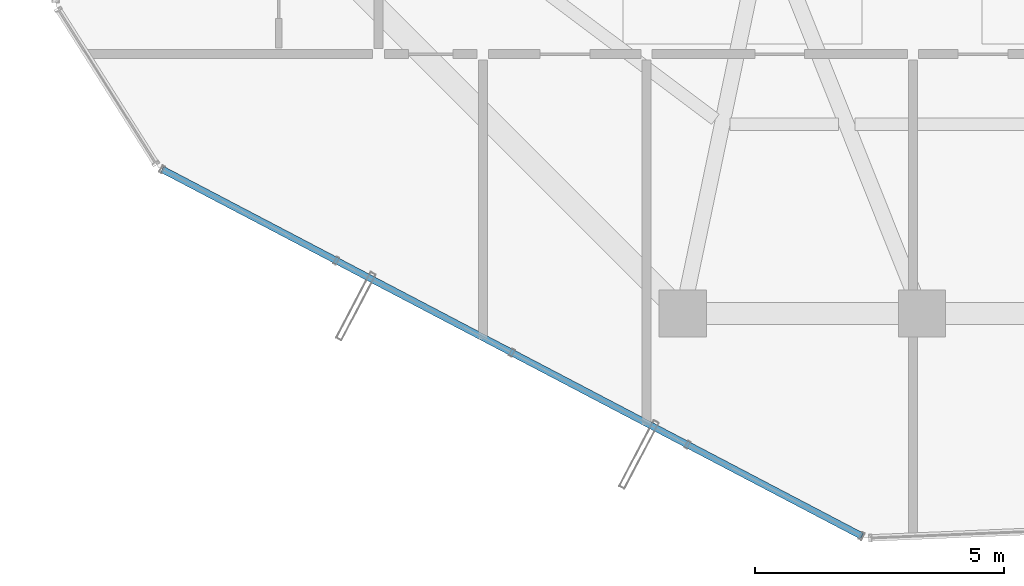
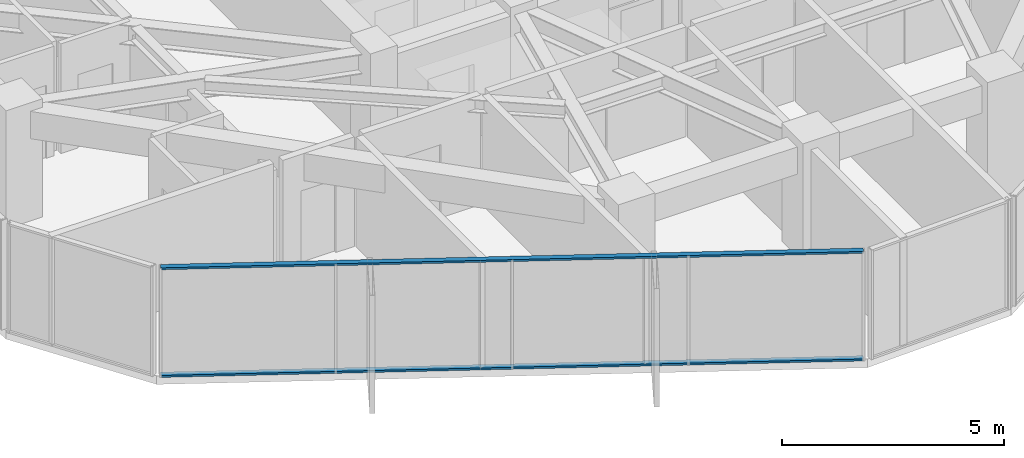
# One storey, part 3 of 33: 2 members, 1 element without a shape of its own.
"""IFC4 building model written with IfcOpenShell, lengths in metres."""

from ifc_helpers import new_model, si_unit, direction, frame, origin, origin_2d, place, context, subcontext, project, spatial, hollow_rectangle, extrude, source, transform, mapped, material, layer, layer_set, material_profile, profile_set, type_object, element, aggregate, save


model = new_model("IFC4")

# Units and contexts
model_context = context("Model", 3, precision=1e-05, world=origin(), true_north=direction((0.0, 1.0)))
body_context = subcontext(model_context, "Body", "Model", "MODEL_VIEW")
ifc_project = project(units=[si_unit("LENGTHUNIT", "METRE"), si_unit("AREAUNIT", "SQUARE_METRE"), si_unit("VOLUMEUNIT", "CUBIC_METRE"), si_unit("PLANEANGLEUNIT", "RADIAN"), si_unit("MASSUNIT", "GRAM", prefix="KILO")], contexts=[model_context])

# Site, building, storey
site_placement = place(None, origin())
site = spatial("IfcSite", under=ifc_project, at=site_placement, CompositionType="ELEMENT")
building_placement = place(site_placement, origin())
building = spatial("IfcBuilding", under=site, at=building_placement, Name="Veraguas Prism Commons", CompositionType="ELEMENT")
storey_placement = place(building_placement, frame((0.0, 0.0, 198.35009765625)))
storey = spatial("IfcBuildingStorey", under=building, at=storey_placement, Name="L56", CompositionType="ELEMENT", Elevation=198.35009765625)

# Curtain wall, members
ifc_material = material(Name="Anodised aluminium EN AW-6063 T6", Category="aluminium")
ifc_layer = layer(ifc_material, 0.14990234375, Name="Unitised Flush Curtain Wall Zone 3", Category="aluminium")
ifc_layer_set = layer_set([ifc_layer], Name="Anodised aluminium EN AW-6063 T6")
curtain_wall_type = type_object("IfcCurtainWallType", Name="Unitised Flush Curtain Wall Zone 3", PredefinedType="NOTDEFINED", material=ifc_layer_set)
curtain_wall_placement = place(storey_placement, origin())
curtain_wall = element("IfcCurtainWall", 1, at=curtain_wall_placement, inside=storey, type_object=curtain_wall_type, Name="Tower Facade Curtain Wall L56-F4", PredefinedType="NOTDEFINED")
ifc_material_profile = material_profile(ifc_material, hollow_rectangle(XDim=0.054931640625, YDim=0.135009765625, WallThickness=0.0029296875, at=origin_2d()), Name="AL55X135X3")
ifc_profile_set = profile_set([ifc_material_profile], Name="Anodised aluminium EN AW-6063 T6")
member_type = type_object("IfcMemberType", Name="Curtain Wall Transom Standard AL 55x135x3", PredefinedType="USERDEFINED", material=ifc_profile_set)
shared_shape = source(origin(), body_context, "Body", "SweptSolid", [
    extrude(hollow_rectangle(XDim=0.054931640625, YDim=0.135009765625, WallThickness=0.0029296875, at=origin_2d()), origin(), (0.0, 0.0, 1.0), 15.842529296875),
])
member_1_placement = place(storey_placement, frame((8.762451171875, 11.990966796875, 0.02734375), z_axis=(0.885717191171, -0.464225222563, 0.0), x_axis=(0.0, 0.0, 1.0)))
member_1 = element("IfcMember", 2, at=member_1_placement, type_object=member_type, Name="CW-Z3 Transom 1", ObjectType="TRANSOM", PredefinedType="USERDEFINED", context=body_context, shape_type="MappedRepresentation", body=[
    mapped(shared_shape, transform((0.0, 0.0, 0.0), scale=1.0)),
])
member_2_placement = place(storey_placement, frame((8.762451171875, 11.990966796875, 2.9873046875), z_axis=(0.885717191171, -0.464225222563, 0.0), x_axis=(0.0, 0.0, 1.0)))
member_2 = element("IfcMember", 3, at=member_2_placement, type_object=member_type, Name="CW-Z3 Transom 2", ObjectType="TRANSOM", PredefinedType="USERDEFINED", context=body_context, shape_type="MappedRepresentation", body=[
    mapped(shared_shape, transform((0.0, 0.0, 0.0), scale=1.0)),
])
aggregate(curtain_wall, [member_1, member_2])

save(model, "model.ifc")
